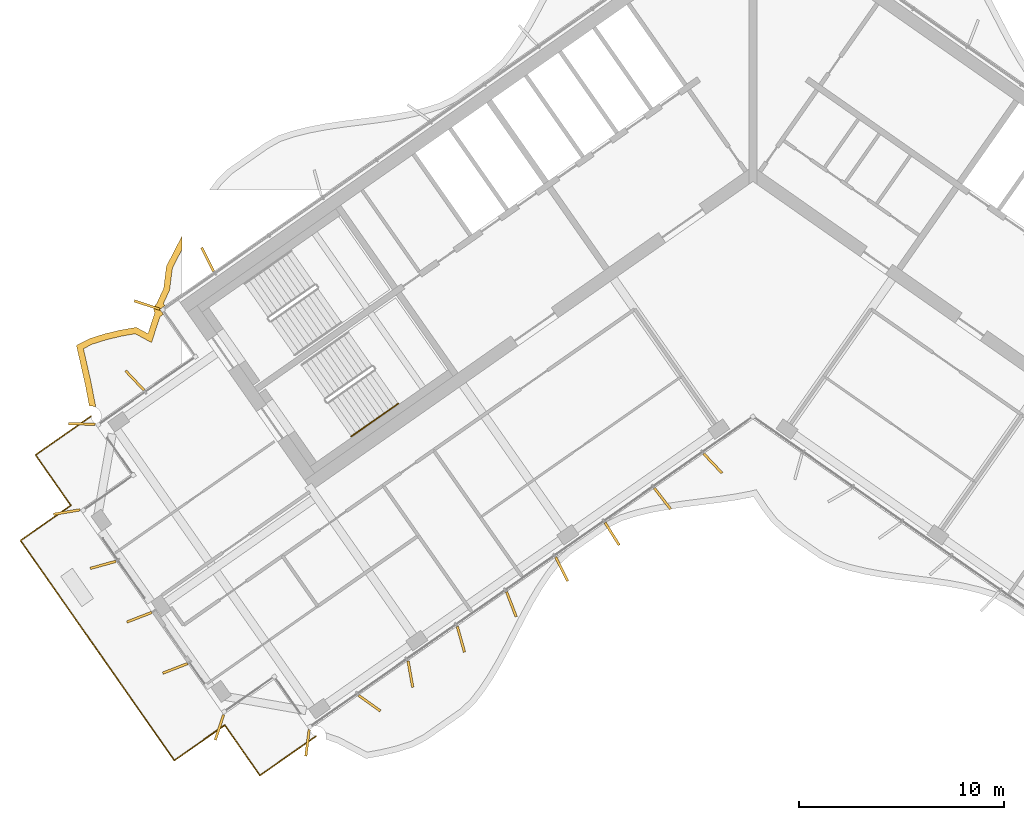
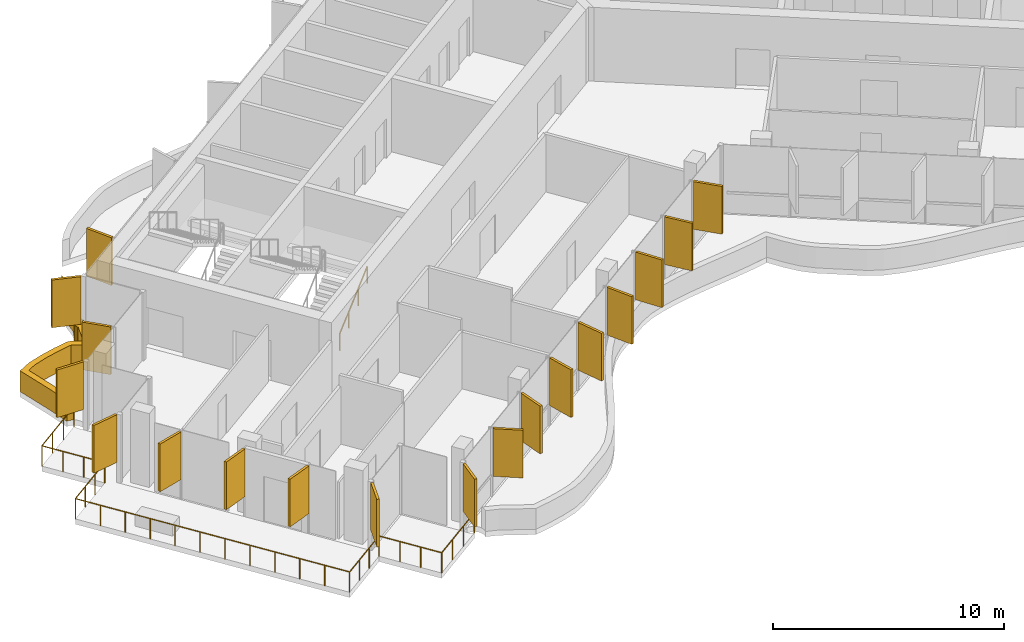
# One storey, part 16 of 21: 19 shading devices, 2 railings.
"""IFC4 building model written with IfcOpenShell, lengths in metres."""

from ifc_helpers import new_model, si_unit, direction, frame, origin, origin_2d, place, context, subcontext, project, spatial, polyline, rectangle, circle, outline, extrude, material, layer, layer_set, type_object, element, save


model = new_model("IFC4")

# Units and contexts
model_context = context("Model", 3, precision=1e-05, world=origin(), true_north=direction((0.0, 1.0)))
body_context = subcontext(model_context, "Body", "Model", "MODEL_VIEW")
ifc_project = project(units=[si_unit("LENGTHUNIT", "METRE"), si_unit("AREAUNIT", "SQUARE_METRE"), si_unit("VOLUMEUNIT", "CUBIC_METRE"), si_unit("PLANEANGLEUNIT", "RADIAN"), si_unit("MASSUNIT", "GRAM", prefix="KILO")], contexts=[model_context])

# Site, building, storey
site_placement = place(None, origin())
site = spatial("IfcSite", under=ifc_project, at=site_placement, CompositionType="ELEMENT")
building_placement = place(site_placement, origin())
building = spatial("IfcBuilding", under=site, at=building_placement, Name="Tel Ilan Convention Tower", CompositionType="ELEMENT")
storey_placement = place(building_placement, frame((0.0, 0.0, 225.39990234375)))
storey = spatial("IfcBuildingStorey", under=building, at=storey_placement, Name="L52", CompositionType="ELEMENT", Elevation=225.39990234375)

# Shading devices
ifc_material_1 = material(Name="Aluminium, bronze anodised", Category="aluminium")
ifc_layer_1 = layer(ifc_material_1, 0.1201171875)
ifc_layer_set_1 = layer_set([ifc_layer_1], Name="FIN BRONZE 1300x120")
shading_device_type_1 = type_object("IfcShadingDeviceType", Name="FIN BRONZE 1300x120", PredefinedType="USERDEFINED", material=ifc_layer_set_1)
for number, where, z_axis, x_axis, name in (
    (1, (-26.62255859375, -5.028076171875, 1.10009765625), (0.0, 0.0, 1.0), (-0.448799180206, 0.893632640321, 0.0), "FIN"),
    (2, (-29.583984375, -7.253173828125, 1.10009765625), (0.0, 0.0, 1.0), (-0.949242643575, 0.314544756146, 0.0), "FIN"),
    (3, (-30.17919921875, -10.9365234375, 1.10009765625), (0.0, 0.0, 1.0), (-0.686241637865, 0.727373641577, 0.0), "FIN"),
    (4, (-32.76171875, -13.05908203125, 1.10009765625), (0.0, 0.0, 1.0), (-0.999576950082, 0.029084718749, 0.0), "FIN"),
    (5, (-33.5009765625, -17.36083984375, 1.10009765625), (0.0, 0.0, 1.0), (-0.986445172547, -0.16409119891, 0.0), "FIN"),
    (6, (-31.7333984375, -19.94140625, 1.10009765625), (0.0, 0.0, 1.0), (-0.963370878614, -0.268172612768, 0.0), "FIN"),
    (7, (-29.95947265625, -22.49658203125, 1.10009765625), (0.0, 0.0, 1.0), (-0.932883704733, -0.360177724803, 0.0), "FIN"),
    (8, (-28.210205078125, -24.994873046875, 1.10009765625), (0.0, 0.0, 1.0), (-0.932883704733, -0.360177724803, 0.0), "FIN"),
    (9, (-26.048828125, -27.876220703125, 1.10009765625), (0.0, 0.0, 1.0), (-0.314544756146, -0.949242643575, 0.0), "FIN"),
    (10, (-21.746826171875, -28.63525390625, 1.10009765625), (0.0, 0.0, 1.0), (-0.125718016748, -0.992066016082, 0.0), "FIN"),
    (11, (-18.717529296875, -26.6962890625, 1.10009765625), (0.0, 0.0, 1.0), (0.813552070258, -0.581492071294, 0.0), "FIN"),
    (12, (-16.72314453125, -25.27734375, 1.10009765625), (0.0, 0.0, 1.0), (0.173648177667, -0.984807753012, 0.0), "FIN"),
    (13, (-14.2578125, -23.573486328125, 1.10009765625), (0.0, 0.0, 1.0), (0.268172612768, -0.963370878614, 0.0), "FIN"),
    (14, (-11.7939453125, -21.863525390625, 1.10009765625), (0.0, 0.0, 1.0), (0.360177724803, -0.932883704733, 0.0), "FIN"),
    (15, (-9.332275390625, -20.14794921875, 1.10009765625), (0.0, 0.0, 1.0), (0.448799180206, -0.893632640321, 0.0), "FIN"),
    (16, (-6.87353515625, -18.426513671875, 1.10009765625), (0.0, 0.0, 1.0), (0.533204432798, -0.845986425922, 0.0), "FIN"),
    (17, (-4.414794921875, -16.704833984375, 1.10009765625), (0.0, 0.0, 1.0), (0.612600545196, -0.790392669516, 0.0), "FIN"),
    (18, (-1.95654296875, -14.983154296875, 1.10009765625), (0.0, 0.0, 1.0), (0.686241637865, -0.727373641577, 0.0), "FIN"),
):
    element("IfcShadingDevice", number, at=place(storey_placement, frame(where, z_axis=z_axis, x_axis=x_axis)), inside=storey, type_object=shading_device_type_1, Name=name, ObjectType="FIN", PredefinedType="USERDEFINED", context=body_context, shape_type="SweptSolid", body=[
        extrude(rectangle(XDim=1.300048828125, YDim=0.1201171875, at=origin_2d()), origin(), (0.0, 0.0, 1.0), 2.52001953125),
    ])
ifc_material_2 = material(Name="Aluminium, bronze anodised", Category="aluminium")
ifc_layer_2 = layer(ifc_material_2, 0.300048828125)
ifc_layer_set_2 = layer_set([ifc_layer_2], Name="LOUVRE BAND 300x1100")
shading_device_type_2 = type_object("IfcShadingDeviceType", Name="LOUVRE BAND 300x1100", PredefinedType="USERDEFINED", material=ifc_layer_set_2)
shading_device_placement = place(storey_placement, origin())
element("IfcShadingDevice", 19, at=shading_device_placement, inside=storey, type_object=shading_device_type_2, Name="LOUVRE BAND 41.03", ObjectType="LOUVRE", PredefinedType="USERDEFINED", context=body_context, shape_type="SweptSolid", body=[
    extrude(outline(polyline([(-33.031982421875, -9.225830078125), (-32.6083984375, -11.094970703125), (-32.399169921875, -12.189453125), (-32.335693359375, -12.184814453125), (-32.238037109375, -12.1923828125), (-32.1435546875, -12.21875), (-32.0830078125, -12.245849609375), (-32.314697265625, -11.033447265625), (-32.68798828125, -9.385986328125), (-32.26708984375, -9.168701171875), (-31.5771484375, -8.950439453125), (-30.838623046875, -8.77392578125), (-30.161376953125, -8.65625), (-29.363525390625, -9.087646484375), (-28.950439453125, -7.8193359375), (-28.787353515625, -7.705322265625), (-28.958740234375, -7.458984375), (-28.713134765625, -7.286865234375), (-28.785888671875, -7.182861328125), (-28.480224609375, -6.525634765625), (-28.343994140625, -5.44384765625), (-27.874755859375, -4.536376953125), (-27.874755859375, -3.881103515625), (-28.635009765625, -5.353271484375), (-28.772216796875, -6.441650390625), (-29.127685546875, -7.218017578125), (-29.1708984375, -7.246826171875), (-29.236083984375, -7.34423828125), (-29.2587890625, -7.458984375), (-29.236083984375, -7.57373046875), (-29.199951171875, -7.6279296875), (-29.537353515625, -8.652587890625), (-30.110107421875, -8.3427734375), (-30.899169921875, -8.47998046875), (-31.6572265625, -8.661376953125), (-32.3818359375, -8.890380859375), (-33.031982421875, -9.225830078125)])), origin(), (0.0, 0.0, 1.0), 1.10009765625),
])

# Railings
ifc_material_3 = material(Name="Stainless Steel Grade 316", Category="steel")
railing_type_1 = type_object("IfcRailingType", Name="Stainless Steel Stair Handrail 900 mm", PredefinedType="HANDRAIL", material=ifc_material_3)
railing_1_placement = place(storey_placement, frame((-19.6064453125, -13.66748046875, 0.177490234375)))
element("IfcRailing", 20, at=railing_1_placement, inside=storey, type_object=railing_type_1, Name="L52 S2 stair handrail 1", PredefinedType="HANDRAIL", context=body_context, shape_type="SweptSolid", body=[
    extrude(circle(Radius=0.02392578125, at=origin_2d()), frame((0.0, 0.0, 0.8759765625), z_axis=(0.692123088272, 0.484596665743, 0.534912798717), x_axis=(-0.573550118428, 0.819170471667, 0.0)), (0.0, 0.0, 1.0), 3.31396484375),
    extrude(circle(Radius=0.02099609375, at=origin_2d()), origin(), (0.0, 0.0, 1.0), 0.851806640625),
    extrude(circle(Radius=0.02099609375, at=origin_2d()), frame((0.7646484375, 0.535400390625, 0.5908203125)), (0.0, 0.0, 1.0), 0.851806640625),
    extrude(circle(Radius=0.02099609375, at=origin_2d()), frame((1.529052734375, 1.070556640625, 1.181884765625)), (0.0, 0.0, 1.0), 0.851806640625),
    extrude(circle(Radius=0.02099609375, at=origin_2d()), frame((2.293701171875, 1.60595703125, 1.772705078125)), (0.0, 0.0, 1.0), 0.851806640625),
])
ifc_material_4 = material(Name="Stainless steel S316", Category="steel")
railing_type_2 = type_object("IfcRailingType", Name="TERRACE GUARD 1100", PredefinedType="GUARDRAIL", material=ifc_material_4)
railing_2_placement = place(storey_placement, frame((-21.337646484375, -28.30810546875, 0.0)))
element("IfcRailing", 21, at=railing_2_placement, inside=storey, type_object=railing_type_2, Name="Terrace guard 41.02", PredefinedType="GUARDRAIL", context=body_context, shape_type="SweptSolid", body=[
    extrude(circle(Radius=0.02490234375, at=origin_2d()), frame((0.0, 0.0, 1.0751953125), z_axis=(-0.819125268807, -0.573614673803, 0.0), x_axis=(0.573614673803, -0.819125268807, 0.0)), (0.0, 0.0, 1.0), 3.334228515625),
    extrude(circle(Radius=0.02490234375, at=origin_2d()), frame((-2.731201171875, -1.91259765625, 1.0751953125), z_axis=(-0.573615254604, 0.819124862085, 0.0), x_axis=(-0.819124862085, -0.573615254604, 0.0)), (0.0, 0.0, 1.0), 3.000244140625),
    extrude(circle(Radius=0.02490234375, at=origin_2d()), frame((-4.4521484375, 0.544921875, 1.0751953125), z_axis=(-0.819136323161, -0.573598887793, 0.0), x_axis=(0.573598887793, -0.819136323161, 0.0)), (0.0, 0.0, 1.0), 2.999755859375),
    extrude(circle(Radius=0.02490234375, at=origin_2d()), frame((-6.909423828125, -1.17578125, 1.0751953125), z_axis=(-0.573586166511, 0.819145231071, 0.0), x_axis=(-0.819145231071, -0.573586166511, 0.0)), (0.0, 0.0, 1.0), 13.099853515625),
    extrude(circle(Radius=0.02490234375, at=origin_2d()), frame((-14.42333984375, 9.554931640625, 1.0751953125), z_axis=(0.819163097304, 0.573560650686, 0.0), x_axis=(-0.573560650686, 0.819163097304, 0.0)), (0.0, 0.0, 1.0), 3.0),
    extrude(circle(Radius=0.02490234375, at=origin_2d()), frame((-11.9658203125, 11.275634765625, 1.0751953125), z_axis=(-0.573560650686, 0.819163097304, 0.0), x_axis=(-0.819163097304, -0.573560650686, 0.0)), (0.0, 0.0, 1.0), 3.0),
    extrude(circle(Radius=0.02490234375, at=origin_2d()), frame((-13.6865234375, 13.733154296875, 1.0751953125), z_axis=(0.819158823207, 0.573566754931, 0.0), x_axis=(-0.573566754931, 0.819158823207, 0.0)), (0.0, 0.0, 1.0), 3.29541015625),
    extrude(circle(Radius=0.02490234375, at=origin_2d()), origin(), (0.0, 0.0, 1.0), 1.050048828125),
    extrude(circle(Radius=0.02490234375, at=origin_2d()), frame((-0.910400390625, -0.637451171875, 0.0)), (0.0, 0.0, 1.0), 1.050048828125),
    extrude(circle(Radius=0.02490234375, at=origin_2d()), frame((-1.82080078125, -1.275146484375, 0.0)), (0.0, 0.0, 1.0), 1.050048828125),
    extrude(circle(Radius=0.02490234375, at=origin_2d()), frame((-2.731201171875, -1.91259765625, 0.0)), (0.0, 0.0, 1.0), 1.050048828125),
    extrude(circle(Radius=0.02490234375, at=origin_2d()), frame((-3.304931640625, -1.093505859375, 0.0)), (0.0, 0.0, 1.0), 1.050048828125),
    extrude(circle(Radius=0.02490234375, at=origin_2d()), frame((-3.87841796875, -0.274169921875, 0.0)), (0.0, 0.0, 1.0), 1.050048828125),
    extrude(circle(Radius=0.02490234375, at=origin_2d()), frame((-4.4521484375, 0.544921875, 0.0)), (0.0, 0.0, 1.0), 1.050048828125),
    extrude(circle(Radius=0.02490234375, at=origin_2d()), frame((-5.271240234375, -0.028564453125, 0.0)), (0.0, 0.0, 1.0), 1.050048828125),
    extrude(circle(Radius=0.02490234375, at=origin_2d()), frame((-6.09033203125, -0.602294921875, 0.0)), (0.0, 0.0, 1.0), 1.050048828125),
    extrude(circle(Radius=0.02490234375, at=origin_2d()), frame((-6.909423828125, -1.17578125, 0.0)), (0.0, 0.0, 1.0), 1.050048828125),
    extrude(circle(Radius=0.02490234375, at=origin_2d()), frame((-7.592529296875, -0.2001953125, 0.0)), (0.0, 0.0, 1.0), 1.050048828125),
    extrude(circle(Radius=0.02490234375, at=origin_2d()), frame((-8.275634765625, 0.775146484375, 0.0)), (0.0, 0.0, 1.0), 1.050048828125),
    extrude(circle(Radius=0.02490234375, at=origin_2d()), frame((-8.958740234375, 1.750732421875, 0.0)), (0.0, 0.0, 1.0), 1.050048828125),
    extrude(circle(Radius=0.02490234375, at=origin_2d()), frame((-9.641845703125, 2.726318359375, 0.0)), (0.0, 0.0, 1.0), 1.050048828125),
    extrude(circle(Radius=0.02490234375, at=origin_2d()), frame((-10.324951171875, 3.701904296875, 0.0)), (0.0, 0.0, 1.0), 1.050048828125),
    extrude(circle(Radius=0.02490234375, at=origin_2d()), frame((-11.0078125, 4.67724609375, 0.0)), (0.0, 0.0, 1.0), 1.050048828125),
    extrude(circle(Radius=0.02490234375, at=origin_2d()), frame((-11.69091796875, 5.65283203125, 0.0)), (0.0, 0.0, 1.0), 1.050048828125),
    extrude(circle(Radius=0.02490234375, at=origin_2d()), frame((-12.3740234375, 6.62841796875, 0.0)), (0.0, 0.0, 1.0), 1.050048828125),
    extrude(circle(Radius=0.02490234375, at=origin_2d()), frame((-13.05712890625, 7.60400390625, 0.0)), (0.0, 0.0, 1.0), 1.050048828125),
    extrude(circle(Radius=0.02490234375, at=origin_2d()), frame((-13.740234375, 8.579345703125, 0.0)), (0.0, 0.0, 1.0), 1.050048828125),
    extrude(circle(Radius=0.02490234375, at=origin_2d()), frame((-14.42333984375, 9.554931640625, 0.0)), (0.0, 0.0, 1.0), 1.050048828125),
    extrude(circle(Radius=0.02490234375, at=origin_2d()), frame((-13.604248046875, 10.12841796875, 0.0)), (0.0, 0.0, 1.0), 1.050048828125),
    extrude(circle(Radius=0.02490234375, at=origin_2d()), frame((-12.784912109375, 10.7021484375, 0.0)), (0.0, 0.0, 1.0), 1.050048828125),
    extrude(circle(Radius=0.02490234375, at=origin_2d()), frame((-11.9658203125, 11.275634765625, 0.0)), (0.0, 0.0, 1.0), 1.050048828125),
    extrude(circle(Radius=0.02490234375, at=origin_2d()), frame((-12.539306640625, 12.0947265625, 0.0)), (0.0, 0.0, 1.0), 1.050048828125),
    extrude(circle(Radius=0.02490234375, at=origin_2d()), frame((-13.113037109375, 12.9140625, 0.0)), (0.0, 0.0, 1.0), 1.050048828125),
    extrude(circle(Radius=0.02490234375, at=origin_2d()), frame((-13.6865234375, 13.733154296875, 0.0)), (0.0, 0.0, 1.0), 1.050048828125),
    extrude(circle(Radius=0.02490234375, at=origin_2d()), frame((-12.78662109375, 14.36328125, 0.0)), (0.0, 0.0, 1.0), 1.050048828125),
    extrude(circle(Radius=0.02490234375, at=origin_2d()), frame((-11.886962890625, 14.9931640625, 0.0)), (0.0, 0.0, 1.0), 1.050048828125),
    extrude(circle(Radius=0.02490234375, at=origin_2d()), frame((-10.987060546875, 15.623291015625, 0.0)), (0.0, 0.0, 1.0), 1.050048828125),
])

save(model, "model.ifc")
